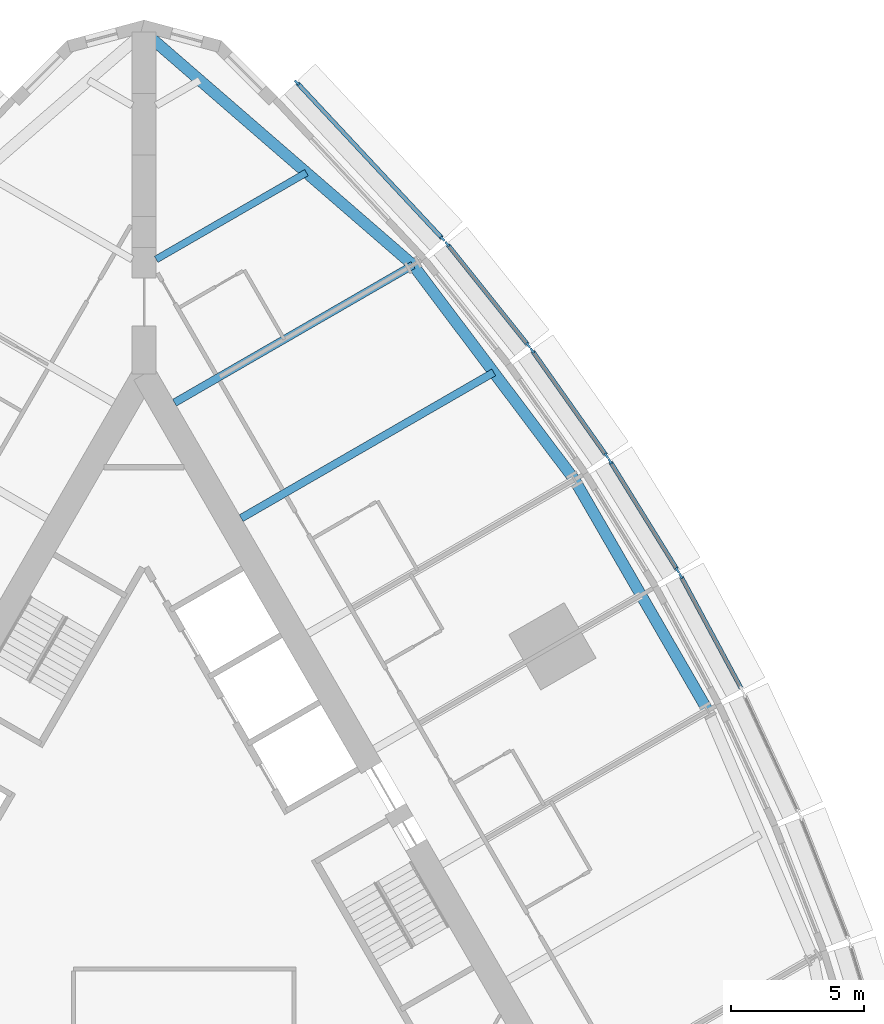
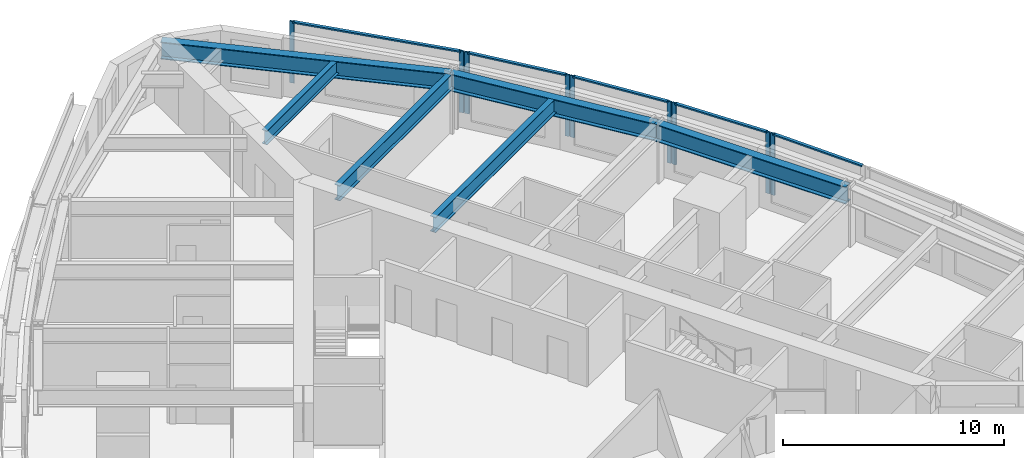
# One storey, part 5 of 14: 14 members, 6 beams, 5 elements without a shape of their own.
"""IFC4 building model written with IfcOpenShell, lengths in metres."""

from ifc_helpers import new_model, si_unit, direction, frame, origin, origin_2d, place, context, subcontext, project, spatial, rectangle, i_section, extrude, material, material_profile, profile_set, type_object, element, aggregate, save


model = new_model("IFC4")

# Units and contexts
model_context = context("Model", 3, precision=1e-05, world=origin(), true_north=direction((0.0, 1.0)))
body_context = subcontext(model_context, "Body", "Model", "MODEL_VIEW")
ifc_project = project(units=[si_unit("LENGTHUNIT", "METRE"), si_unit("AREAUNIT", "SQUARE_METRE"), si_unit("VOLUMEUNIT", "CUBIC_METRE"), si_unit("PLANEANGLEUNIT", "RADIAN"), si_unit("MASSUNIT", "GRAM", prefix="KILO")], contexts=[model_context])

# Site, building, storey
site_placement = place(None, origin())
site = spatial("IfcSite", under=ifc_project, at=site_placement, CompositionType="ELEMENT")
building_placement = place(site_placement, origin())
building = spatial("IfcBuilding", under=site, at=building_placement, Name="Trikona Tower", CompositionType="ELEMENT")
storey_placement = place(building_placement, frame((0.0, 0.0, 59.10009765625)))
storey = spatial("IfcBuildingStorey", under=building, at=storey_placement, Name="L14", CompositionType="ELEMENT", Elevation=59.10009765625)

# Curtain wall, member
ifc_material_1 = material(Name="Aluminium curtain wall system", Category="aluminium")
curtain_wall_type = type_object("IfcCurtainWallType", Name="Curtain wall DS1", PredefinedType="NOTDEFINED", material=ifc_material_1)
curtain_wall_1_placement = place(storey_placement, origin())
curtain_wall_1 = element("IfcCurtainWall", 1, at=curtain_wall_1_placement, inside=storey, type_object=curtain_wall_type, Name="Curtain wall DS1 L14", PredefinedType="NOTDEFINED")
ifc_material_2 = material(Name="Aluminium mullion, pale anodised", Category="aluminium")
ifc_material_profile_1 = material_profile(ifc_material_2, rectangle(XDim=0.080078125, YDim=0.219970703125, at=origin_2d()), Name="MUL-DS1")
ifc_profile_set_1 = profile_set([ifc_material_profile_1], Name="Aluminium mullion, pale anodised")
member_type_1 = type_object("IfcMemberType", Name="Mullion DS1 80x220", PredefinedType="MULLION", material=ifc_profile_set_1)
member_1_placement = place(storey_placement, frame((20.128662109375, 11.474365234375, 0.0), z_axis=(0.0, 0.0, 1.0), x_axis=(-0.880843080975, -0.473408350896, 0.0)))
member_1 = element("IfcMember", 2, at=member_1_placement, type_object=member_type_1, Name="CW-DS1 mullion 2", PredefinedType="MULLION", context=body_context, shape_type="SweptSolid", body=[
    extrude(rectangle(XDim=0.080078125, YDim=0.219970703125, at=origin_2d()), origin(), (0.0, 0.0, 1.0), 3.39990234375),
])

# Curtain wall, members
curtain_wall_2_placement = place(storey_placement, origin())
curtain_wall_2 = element("IfcCurtainWall", 3, at=curtain_wall_2_placement, inside=storey, type_object=curtain_wall_type, Name="Curtain wall DS1 L14", PredefinedType="NOTDEFINED")
member_2_placement = place(storey_placement, frame((20.00146484375, 11.69482421875, 0.0), z_axis=(0.0, 0.0, 1.0), x_axis=(-0.850410468941, -0.526119790842, 0.0)))
member_2 = element("IfcMember", 4, at=member_2_placement, type_object=member_type_1, Name="CW-DS1 mullion 1", PredefinedType="MULLION", context=body_context, shape_type="SweptSolid", body=[
    extrude(rectangle(XDim=0.080078125, YDim=0.219970703125, at=origin_2d()), origin(), (0.0, 0.0, 1.0), 3.39990234375),
])
member_3_placement = place(storey_placement, frame((17.474853515625, 15.77880859375, 0.0), z_axis=(0.0, 0.0, 1.0), x_axis=(-0.850410468941, -0.526119790842, 0.0)))
member_3 = element("IfcMember", 5, at=member_3_placement, type_object=member_type_1, Name="CW-DS1 mullion 2", PredefinedType="MULLION", context=body_context, shape_type="SweptSolid", body=[
    extrude(rectangle(XDim=0.080078125, YDim=0.219970703125, at=origin_2d()), origin(), (0.0, 0.0, 1.0), 3.39990234375),
])

curtain_wall_3_placement = place(storey_placement, origin())
curtain_wall_3 = element("IfcCurtainWall", 6, at=curtain_wall_3_placement, inside=storey, type_object=curtain_wall_type, Name="Curtain wall DS1 L14", PredefinedType="NOTDEFINED")
member_4_placement = place(storey_placement, frame((17.33447265625, 15.990966796875, 0.0), z_axis=(0.0, 0.0, 1.0), x_axis=(-0.816985393055, -0.576658362928, 0.0)))
member_4 = element("IfcMember", 7, at=member_4_placement, type_object=member_type_1, Name="CW-DS1 mullion 1", PredefinedType="MULLION", context=body_context, shape_type="SweptSolid", body=[
    extrude(rectangle(XDim=0.080078125, YDim=0.219970703125, at=origin_2d()), origin(), (0.0, 0.0, 1.0), 3.39990234375),
])
member_5_placement = place(storey_placement, frame((14.554443359375, 19.929443359375, 0.0), z_axis=(0.0, 0.0, 1.0), x_axis=(-0.816985393055, -0.576658362928, 0.0)))
member_5 = element("IfcMember", 8, at=member_5_placement, type_object=member_type_1, Name="CW-DS1 mullion 2", PredefinedType="MULLION", context=body_context, shape_type="SweptSolid", body=[
    extrude(rectangle(XDim=0.080078125, YDim=0.219970703125, at=origin_2d()), origin(), (0.0, 0.0, 1.0), 3.39990234375),
])

curtain_wall_4_placement = place(storey_placement, origin())
curtain_wall_4 = element("IfcCurtainWall", 9, at=curtain_wall_4_placement, inside=storey, type_object=curtain_wall_type, Name="Curtain wall DS1 L14", PredefinedType="NOTDEFINED")
member_6_placement = place(storey_placement, frame((14.40185546875, 20.13232421875, 0.0), z_axis=(0.0, 0.0, 1.0), x_axis=(-0.780937959679, -0.624608599951, 0.0)))
member_6 = element("IfcMember", 10, at=member_6_placement, type_object=member_type_1, Name="CW-DS1 mullion 1", PredefinedType="MULLION", context=body_context, shape_type="SweptSolid", body=[
    extrude(rectangle(XDim=0.080078125, YDim=0.219970703125, at=origin_2d()), origin(), (0.0, 0.0, 1.0), 3.39990234375),
])
member_7_placement = place(storey_placement, frame((11.36767578125, 23.926025390625, 0.0), z_axis=(0.0, 0.0, 1.0), x_axis=(-0.780937959679, -0.624608599951, 0.0)))
member_7 = element("IfcMember", 11, at=member_7_placement, type_object=member_type_1, Name="CW-DS1 mullion 2", PredefinedType="MULLION", context=body_context, shape_type="SweptSolid", body=[
    extrude(rectangle(XDim=0.080078125, YDim=0.219970703125, at=origin_2d()), origin(), (0.0, 0.0, 1.0), 3.39990234375),
])

curtain_wall_5_placement = place(storey_placement, origin())
curtain_wall_5 = element("IfcCurtainWall", 12, at=curtain_wall_5_placement, inside=storey, type_object=curtain_wall_type, Name="Curtain wall DS1 L14", PredefinedType="NOTDEFINED")
member_8_placement = place(storey_placement, frame((11.192138671875, 24.129150390625, 0.0), z_axis=(0.0, 0.0, 1.0), x_axis=(-0.731076639405, -0.682295351967, 0.0)))
member_8 = element("IfcMember", 13, at=member_8_placement, type_object=member_type_1, Name="CW-DS1 mullion 1", PredefinedType="MULLION", context=body_context, shape_type="SweptSolid", body=[
    extrude(rectangle(XDim=0.080078125, YDim=0.219970703125, at=origin_2d()), origin(), (0.0, 0.0, 1.0), 3.39990234375),
])
member_9_placement = place(storey_placement, frame((5.72607421875, 29.98583984375, 0.0), z_axis=(0.0, 0.0, 1.0), x_axis=(-0.731076639405, -0.682295351967, 0.0)))
member_9 = element("IfcMember", 14, at=member_9_placement, type_object=member_type_1, Name="CW-DS1 mullion 2", PredefinedType="MULLION", context=body_context, shape_type="SweptSolid", body=[
    extrude(rectangle(XDim=0.080078125, YDim=0.219970703125, at=origin_2d()), origin(), (0.0, 0.0, 1.0), 3.39990234375),
])

# Beams
ifc_material_3 = material(Name="Steel ASTM A992 Grade 50", Category="steel")
ifc_material_profile_2 = material_profile(ifc_material_3, i_section(OverallWidth=0.2666015625, OverallDepth=0.76953125, WebThickness=0.015625, FlangeThickness=0.025390625, at=origin_2d()), Name="W30X132")
ifc_profile_set_2 = profile_set([ifc_material_profile_2], Name="Steel ASTM A992 Grade 50")
beam_type_1 = type_object("IfcBeamType", Name="Steel beam W30x132 (wedge)", PredefinedType="BEAM", material=ifc_profile_set_2)
beam_1_placement = place(storey_placement, frame((0.449951171875, 23.353759765625, 2.85009765625), z_axis=(0.866022504693, 0.50000502134, 0.0), x_axis=(-0.50000502134, 0.866022504693, 0.0)))
element("IfcBeam", 15, at=beam_1_placement, inside=storey, type_object=beam_type_1, Name="Floor beam L15 F2 u20", PredefinedType="BEAM", context=body_context, shape_type="SweptSolid", body=[
    extrude(i_section(OverallWidth=0.2666015625, OverallDepth=0.76953125, WebThickness=0.015625, FlangeThickness=0.025390625, at=origin_2d()), origin(), (0.0, 0.0, 1.0), 6.5068359375),
])
ifc_material_4 = material(Name="Steel ASTM A992 Grade 50", Category="steel")
ifc_material_profile_3 = material_profile(ifc_material_4, i_section(OverallWidth=0.2919921875, OverallDepth=0.845703125, WebThickness=0.015380859375, FlangeThickness=0.0244140625, at=origin_2d()), Name="W33X141")
ifc_profile_set_3 = profile_set([ifc_material_profile_3], Name="Steel ASTM A992 Grade 50")
beam_type_2 = type_object("IfcBeamType", Name="Steel beam W33x141 (radial typ)", PredefinedType="BEAM", material=ifc_profile_set_3)
beam_2_placement = place(storey_placement, frame((3.6396484375, 13.6484375, 2.81201171875), z_axis=(0.866025348605, 0.500000095573, 0.0), x_axis=(-0.500000095573, 0.866025348605, 0.0)))
element("IfcBeam", 16, at=beam_2_placement, inside=storey, type_object=beam_type_2, Name="Floor beam L15 F2 u10", PredefinedType="BEAM", context=body_context, shape_type="SweptSolid", body=[
    extrude(i_section(OverallWidth=0.2919921875, OverallDepth=0.845703125, WebThickness=0.015380859375, FlangeThickness=0.0244140625, at=origin_2d()), origin(), (0.0, 0.0, 1.0), 10.935546875),
])
beam_3_placement = place(storey_placement, frame((1.1396484375, 17.978515625, 2.81201171875), z_axis=(0.866030471684, 0.499991222037, 0.0), x_axis=(-0.499991222037, 0.866030471684, 0.0)))
element("IfcBeam", 17, at=beam_3_placement, inside=storey, type_object=beam_type_2, Name="Floor beam L15 F2 u15", PredefinedType="BEAM", context=body_context, shape_type="SweptSolid", body=[
    extrude(i_section(OverallWidth=0.2919921875, OverallDepth=0.845703125, WebThickness=0.015380859375, FlangeThickness=0.0244140625, at=origin_2d()), origin(), (0.0, 0.0, 1.0), 10.326904296875),
])
ifc_material_5 = material(Name="Steel ASTM A992 Grade 50", Category="steel")
ifc_material_profile_4 = material_profile(ifc_material_5, i_section(OverallWidth=0.424072265625, OverallDepth=0.947509765625, WebThickness=0.02392578125, FlangeThickness=0.042724609375, at=origin_2d()), Name="W36X302")
ifc_profile_set_4 = profile_set([ifc_material_profile_4], Name="Steel ASTM A992 Grade 50")
beam_type_3 = type_object("IfcBeamType", Name="Steel beam W36x302 (spandrel)", PredefinedType="SPANDREL", material=ifc_profile_set_4)
beam_4_placement = place(storey_placement, frame((21.13720703125, 6.43017578125, 2.76123046875), z_axis=(-0.500004234368, 0.866022959057, 0.0), x_axis=(-0.866022959057, -0.500004234368, 0.0)))
element("IfcBeam", 18, at=beam_4_placement, inside=storey, type_object=beam_type_3, Name="Spandrel beam L15 F2-3", PredefinedType="SPANDREL", context=body_context, shape_type="SweptSolid", body=[
    extrude(i_section(OverallWidth=0.424072265625, OverallDepth=0.947509765625, WebThickness=0.02392578125, FlangeThickness=0.042724609375, at=origin_2d()), origin(), (0.0, 0.0, 1.0), 10.0),
])
beam_5_placement = place(storey_placement, frame((16.13720703125, 15.09033203125, 2.76123046875), z_axis=(-0.600988344191, 0.799257787042, 0.0), x_axis=(-0.799257787042, -0.600988344191, 0.0)))
element("IfcBeam", 19, at=beam_5_placement, inside=storey, type_object=beam_type_3, Name="Spandrel beam L15 F2-4", PredefinedType="SPANDREL", context=body_context, shape_type="SweptSolid", body=[
    extrude(i_section(OverallWidth=0.424072265625, OverallDepth=0.947509765625, WebThickness=0.02392578125, FlangeThickness=0.042724609375, at=origin_2d()), origin(), (0.0, 0.0, 1.0), 10.07373046875),
])
beam_6_placement = place(storey_placement, frame((10.0830078125, 23.141845703125, 2.76123046875), z_axis=(-0.755646822726, 0.654979296851, 0.0), x_axis=(-0.654979296851, -0.755646822726, 0.0)))
element("IfcBeam", 20, at=beam_6_placement, inside=storey, type_object=beam_type_3, Name="Spandrel beam L15 F2-5", PredefinedType="SPANDREL", context=body_context, shape_type="SweptSolid", body=[
    extrude(i_section(OverallWidth=0.424072265625, OverallDepth=0.947509765625, WebThickness=0.02392578125, FlangeThickness=0.042724609375, at=origin_2d()), origin(), (0.0, 0.0, 1.0), 13.343505859375),
])

# Member
ifc_material_6 = material(Name="Aluminium transom, pale anodised", Category="aluminium")
ifc_material_profile_5 = material_profile(ifc_material_6, rectangle(XDim=0.159912109375, YDim=0.080078125, at=origin_2d()), Name="TRN-DS1")
ifc_profile_set_5 = profile_set([ifc_material_profile_5], Name="Aluminium transom, pale anodised")
member_type_2 = type_object("IfcMemberType", Name="Transom DS1 80x160", PredefinedType="USERDEFINED", material=ifc_profile_set_5)
member_10_placement = place(storey_placement, frame((22.38330078125, 7.279541015625, 3.35986328125), z_axis=(-0.473427569755, 0.880832751546, 0.0), x_axis=(-0.880832751546, -0.473427569755, 0.0)))
member_10 = element("IfcMember", 21, at=member_10_placement, type_object=member_type_2, Name="CW-DS1 transom 1.1", ObjectType="TRANSOM", PredefinedType="USERDEFINED", context=body_context, shape_type="SweptSolid", body=[
    extrude(rectangle(XDim=0.159912109375, YDim=0.080078125, at=origin_2d()), origin(), (0.0, 0.0, 1.0), 4.72216796875),
])

aggregate(curtain_wall_1, [member_1, member_10])

member_11_placement = place(storey_placement, frame((19.980224609375, 11.728759765625, 3.35986328125), z_axis=(-0.526080502257, 0.850434774186, 0.0), x_axis=(-0.850434774186, -0.526080502257, 0.0)))
member_11 = element("IfcMember", 22, at=member_11_placement, type_object=member_type_2, Name="CW-DS1 transom 1.1", ObjectType="TRANSOM", PredefinedType="USERDEFINED", context=body_context, shape_type="SweptSolid", body=[
    extrude(rectangle(XDim=0.159912109375, YDim=0.080078125, at=origin_2d()), origin(), (0.0, 0.0, 1.0), 4.722412109375),
])

aggregate(curtain_wall_2, [member_2, member_3, member_11])

member_12_placement = place(storey_placement, frame((17.311279296875, 16.023681640625, 3.35986328125), z_axis=(-0.57664478015, 0.816994980111, 0.0), x_axis=(-0.816994980111, -0.57664478015, 0.0)))
member_12 = element("IfcMember", 23, at=member_12_placement, type_object=member_type_2, Name="CW-DS1 transom 1.1", ObjectType="TRANSOM", PredefinedType="USERDEFINED", context=body_context, shape_type="SweptSolid", body=[
    extrude(rectangle(XDim=0.159912109375, YDim=0.080078125, at=origin_2d()), origin(), (0.0, 0.0, 1.0), 4.740478515625),
])

aggregate(curtain_wall_3, [member_4, member_5, member_12])

member_13_placement = place(storey_placement, frame((14.376953125, 20.16357421875, 3.35986328125), z_axis=(-0.624589103832, 0.780953552636, 0.0), x_axis=(-0.780953552636, -0.624589103832, 0.0)))
member_13 = element("IfcMember", 24, at=member_13_placement, type_object=member_type_2, Name="CW-DS1 transom 1.1", ObjectType="TRANSOM", PredefinedType="USERDEFINED", context=body_context, shape_type="SweptSolid", body=[
    extrude(rectangle(XDim=0.159912109375, YDim=0.080078125, at=origin_2d()), origin(), (0.0, 0.0, 1.0), 4.77783203125),
])

aggregate(curtain_wall_4, [member_6, member_7, member_13])

member_14_placement = place(storey_placement, frame((11.164794921875, 24.158203125, 3.35986328125), z_axis=(-0.682290830921, 0.731080858758, 0.0), x_axis=(-0.731080858758, -0.682290830921, 0.0)))
member_14 = element("IfcMember", 25, at=member_14_placement, type_object=member_type_2, Name="CW-DS1 transom 1.1", ObjectType="TRANSOM", PredefinedType="USERDEFINED", context=body_context, shape_type="SweptSolid", body=[
    extrude(rectangle(XDim=0.159912109375, YDim=0.080078125, at=origin_2d()), origin(), (0.0, 0.0, 1.0), 7.93115234375),
])

aggregate(curtain_wall_5, [member_8, member_9, member_14])

save(model, "model.ifc")
